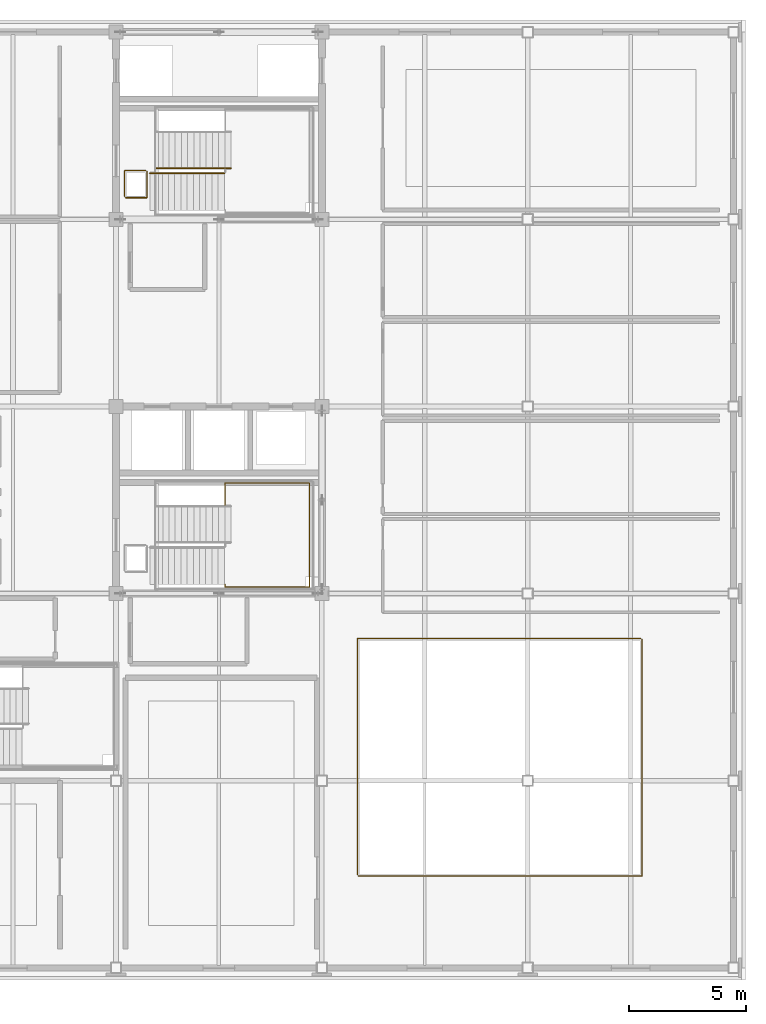
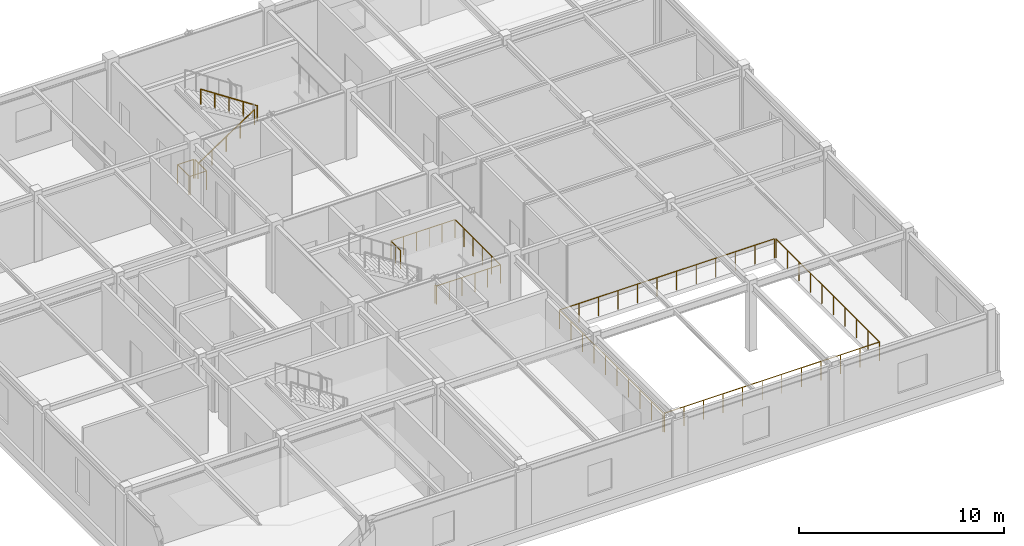
# One storey, part 17 of 18: 7 railings.
"""IFC4 building model written with IfcOpenShell, lengths in metres."""

from ifc_helpers import new_model, si_unit, direction, frame, origin, origin_2d, place, context, subcontext, project, spatial, circle, extrude, material, type_object, element, save


model = new_model("IFC4")

# Units and contexts
model_context = context("Model", 3, precision=1e-05, world=origin(), true_north=direction((0.0, 1.0)))
body_context = subcontext(model_context, "Body", "Model", "MODEL_VIEW")
ifc_project = project(units=[si_unit("LENGTHUNIT", "METRE"), si_unit("AREAUNIT", "SQUARE_METRE"), si_unit("VOLUMEUNIT", "CUBIC_METRE"), si_unit("PLANEANGLEUNIT", "RADIAN"), si_unit("MASSUNIT", "GRAM", prefix="KILO")], contexts=[model_context])

# Site, building, storey
site_placement = place(None, origin())
site = spatial("IfcSite", under=ifc_project, at=site_placement, CompositionType="ELEMENT")
building_placement = place(site_placement, origin())
building = spatial("IfcBuilding", under=site, at=building_placement, Name="Zhaolan Boulevard Law Courts", CompositionType="ELEMENT")
storey_placement = place(building_placement, frame((0.0, 0.0, 33.0)))
storey = spatial("IfcBuildingStorey", under=building, at=storey_placement, Name="L07", CompositionType="ELEMENT", Elevation=33.0)

# Railings
ifc_material_1 = material(Name="Powder-coated steel and tempered laminated glass", Category="steel")
railing_type_1 = type_object("IfcRailingType", Name="INTERIOR GUARDRAIL 1150", PredefinedType="GUARDRAIL", material=ifc_material_1)
railing_1_placement = place(storey_placement, frame((18.010009765625, 62.919921875, 0.0)))
element("IfcRailing", 1, at=railing_1_placement, inside=storey, type_object=railing_type_1, Name="Atrium Gallery Guardrail VG-7-V5-10A", PredefinedType="GUARDRAIL", context=body_context, shape_type="SweptSolid", body=[
    extrude(circle(Radius=0.02490234375, at=origin_2d()), frame((0.0, 0.0, 1.125), z_axis=(1.0, 0.0, 0.0), x_axis=(0.0, 1.0, 0.0)), (0.0, 0.0, 1.0), 0.919921875),
    extrude(circle(Radius=0.02490234375, at=origin_2d()), frame((0.919921875, 0.0, 1.125), z_axis=(0.0, 1.0, 0.0), x_axis=(-1.0, 0.0, 0.0)), (0.0, 0.0, 1.0), 1.1201171875),
    extrude(circle(Radius=0.02099609375, at=origin_2d()), origin(), (0.0, 0.0, 1.0), 1.099853515625),
    extrude(circle(Radius=0.02099609375, at=origin_2d()), frame((0.919921875, 0.0, 0.0)), (0.0, 0.0, 1.0), 1.099853515625),
    extrude(circle(Radius=0.02099609375, at=origin_2d()), frame((0.919921875, 1.1201171875, 0.0)), (0.0, 0.0, 1.0), 1.099853515625),
])
railing_2_placement = place(storey_placement, frame((18.8701171875, 64.080078125, 0.0)))
element("IfcRailing", 2, at=railing_2_placement, inside=storey, type_object=railing_type_1, Name="Atrium Gallery Guardrail VG-7-V5-10B", PredefinedType="GUARDRAIL", context=body_context, shape_type="SweptSolid", body=[
    extrude(circle(Radius=0.02490234375, at=origin_2d()), frame((0.0, 0.0, 1.125), z_axis=(-1.0, 0.0, 0.0), x_axis=(0.0, -1.0, 0.0)), (0.0, 0.0, 1.0), 0.900146484375),
    extrude(circle(Radius=0.02490234375, at=origin_2d()), frame((-0.900146484375, 0.0, 1.125), z_axis=(0.0, -1.0, 0.0), x_axis=(1.0, 0.0, 0.0)), (0.0, 0.0, 1.0), 1.10009765625),
    extrude(circle(Radius=0.02099609375, at=origin_2d()), origin(), (0.0, 0.0, 1.0), 1.099853515625),
    extrude(circle(Radius=0.02099609375, at=origin_2d()), frame((-0.900146484375, 0.0, 0.0)), (0.0, 0.0, 1.0), 1.099853515625),
    extrude(circle(Radius=0.02099609375, at=origin_2d()), frame((-0.900146484375, -1.10009765625, 0.0)), (0.0, 0.0, 1.0), 1.099853515625),
])
railing_3_placement = place(storey_placement, frame((27.9599609375, 33.919921875, 0.0)))
element("IfcRailing", 3, at=railing_3_placement, inside=storey, type_object=railing_type_1, Name="Atrium Gallery Guardrail VG-7-V5-11A", PredefinedType="GUARDRAIL", context=body_context, shape_type="SweptSolid", body=[
    extrude(circle(Radius=0.02490234375, at=origin_2d()), frame((0.0, 0.0, 1.125), z_axis=(1.0, 0.0, 0.0), x_axis=(0.0, 1.0, 0.0)), (0.0, 0.0, 1.0), 12.1201171875),
    extrude(circle(Radius=0.02490234375, at=origin_2d()), frame((12.1201171875, 0.0, 1.125), z_axis=(0.0, 1.0, 0.0), x_axis=(-1.0, 0.0, 0.0)), (0.0, 0.0, 1.0), 10.1201171875),
    extrude(circle(Radius=0.02099609375, at=origin_2d()), origin(), (0.0, 0.0, 1.0), 1.099853515625),
    extrude(circle(Radius=0.02099609375, at=origin_2d()), frame((1.101806640625, 0.0, 0.0)), (0.0, 0.0, 1.0), 1.099853515625),
    extrude(circle(Radius=0.02099609375, at=origin_2d()), frame((2.20361328125, 0.0, 0.0)), (0.0, 0.0, 1.0), 1.099853515625),
    extrude(circle(Radius=0.02099609375, at=origin_2d()), frame((3.305419921875, 0.0, 0.0)), (0.0, 0.0, 1.0), 1.099853515625),
    extrude(circle(Radius=0.02099609375, at=origin_2d()), frame((4.4072265625, 0.0, 0.0)), (0.0, 0.0, 1.0), 1.099853515625),
    extrude(circle(Radius=0.02099609375, at=origin_2d()), frame((5.509033203125, 0.0, 0.0)), (0.0, 0.0, 1.0), 1.099853515625),
    extrude(circle(Radius=0.02099609375, at=origin_2d()), frame((6.611083984375, 0.0, 0.0)), (0.0, 0.0, 1.0), 1.099853515625),
    extrude(circle(Radius=0.02099609375, at=origin_2d()), frame((7.712890625, 0.0, 0.0)), (0.0, 0.0, 1.0), 1.099853515625),
    extrude(circle(Radius=0.02099609375, at=origin_2d()), frame((8.814697265625, 0.0, 0.0)), (0.0, 0.0, 1.0), 1.099853515625),
    extrude(circle(Radius=0.02099609375, at=origin_2d()), frame((9.91650390625, 0.0, 0.0)), (0.0, 0.0, 1.0), 1.099853515625),
    extrude(circle(Radius=0.02099609375, at=origin_2d()), frame((11.018310546875, 0.0, 0.0)), (0.0, 0.0, 1.0), 1.099853515625),
    extrude(circle(Radius=0.02099609375, at=origin_2d()), frame((12.1201171875, 0.0, 0.0)), (0.0, 0.0, 1.0), 1.099853515625),
    extrude(circle(Radius=0.02099609375, at=origin_2d()), frame((12.1201171875, 1.12451171875, 0.0)), (0.0, 0.0, 1.0), 1.099853515625),
    extrude(circle(Radius=0.02099609375, at=origin_2d()), frame((12.1201171875, 2.2490234375, 0.0)), (0.0, 0.0, 1.0), 1.099853515625),
    extrude(circle(Radius=0.02099609375, at=origin_2d()), frame((12.1201171875, 3.373291015625, 0.0)), (0.0, 0.0, 1.0), 1.099853515625),
    extrude(circle(Radius=0.02099609375, at=origin_2d()), frame((12.1201171875, 4.497802734375, 0.0)), (0.0, 0.0, 1.0), 1.099853515625),
    extrude(circle(Radius=0.02099609375, at=origin_2d()), frame((12.1201171875, 5.622314453125, 0.0)), (0.0, 0.0, 1.0), 1.099853515625),
    extrude(circle(Radius=0.02099609375, at=origin_2d()), frame((12.1201171875, 6.746826171875, 0.0)), (0.0, 0.0, 1.0), 1.099853515625),
    extrude(circle(Radius=0.02099609375, at=origin_2d()), frame((12.1201171875, 7.87109375, 0.0)), (0.0, 0.0, 1.0), 1.099853515625),
    extrude(circle(Radius=0.02099609375, at=origin_2d()), frame((12.1201171875, 8.99560546875, 0.0)), (0.0, 0.0, 1.0), 1.099853515625),
    extrude(circle(Radius=0.02099609375, at=origin_2d()), frame((12.1201171875, 10.1201171875, 0.0)), (0.0, 0.0, 1.0), 1.099853515625),
])
railing_4_placement = place(storey_placement, frame((40.02001953125, 44.080078125, 0.0)))
element("IfcRailing", 4, at=railing_4_placement, inside=storey, type_object=railing_type_1, Name="Atrium Gallery Guardrail VG-7-V5-11B", PredefinedType="GUARDRAIL", context=body_context, shape_type="SweptSolid", body=[
    extrude(circle(Radius=0.02490234375, at=origin_2d()), frame((0.0, 0.0, 1.125), z_axis=(-1.0, 0.0, 0.0), x_axis=(0.0, -1.0, 0.0)), (0.0, 0.0, 1.0), 12.10009765625),
    extrude(circle(Radius=0.02490234375, at=origin_2d()), frame((-12.10009765625, 0.0, 1.125), z_axis=(0.0, -1.0, 0.0), x_axis=(1.0, 0.0, 0.0)), (0.0, 0.0, 1.0), 10.10009765625),
    extrude(circle(Radius=0.02099609375, at=origin_2d()), origin(), (0.0, 0.0, 1.0), 1.099853515625),
    extrude(circle(Radius=0.02099609375, at=origin_2d()), frame((-1.10009765625, 0.0, 0.0)), (0.0, 0.0, 1.0), 1.099853515625),
    extrude(circle(Radius=0.02099609375, at=origin_2d()), frame((-2.199951171875, 0.0, 0.0)), (0.0, 0.0, 1.0), 1.099853515625),
    extrude(circle(Radius=0.02099609375, at=origin_2d()), frame((-3.300048828125, 0.0, 0.0)), (0.0, 0.0, 1.0), 1.099853515625),
    extrude(circle(Radius=0.02099609375, at=origin_2d()), frame((-4.400146484375, 0.0, 0.0)), (0.0, 0.0, 1.0), 1.099853515625),
    extrude(circle(Radius=0.02099609375, at=origin_2d()), frame((-5.5, 0.0, 0.0)), (0.0, 0.0, 1.0), 1.099853515625),
    extrude(circle(Radius=0.02099609375, at=origin_2d()), frame((-6.60009765625, 0.0, 0.0)), (0.0, 0.0, 1.0), 1.099853515625),
    extrude(circle(Radius=0.02099609375, at=origin_2d()), frame((-7.699951171875, 0.0, 0.0)), (0.0, 0.0, 1.0), 1.099853515625),
    extrude(circle(Radius=0.02099609375, at=origin_2d()), frame((-8.800048828125, 0.0, 0.0)), (0.0, 0.0, 1.0), 1.099853515625),
    extrude(circle(Radius=0.02099609375, at=origin_2d()), frame((-9.900146484375, 0.0, 0.0)), (0.0, 0.0, 1.0), 1.099853515625),
    extrude(circle(Radius=0.02099609375, at=origin_2d()), frame((-11.0, 0.0, 0.0)), (0.0, 0.0, 1.0), 1.099853515625),
    extrude(circle(Radius=0.02099609375, at=origin_2d()), frame((-12.10009765625, 0.0, 0.0)), (0.0, 0.0, 1.0), 1.099853515625),
    extrude(circle(Radius=0.02099609375, at=origin_2d()), frame((-12.10009765625, -1.122314453125, 0.0)), (0.0, 0.0, 1.0), 1.099853515625),
    extrude(circle(Radius=0.02099609375, at=origin_2d()), frame((-12.10009765625, -2.244384765625, 0.0)), (0.0, 0.0, 1.0), 1.099853515625),
    extrude(circle(Radius=0.02099609375, at=origin_2d()), frame((-12.10009765625, -3.36669921875, 0.0)), (0.0, 0.0, 1.0), 1.099853515625),
    extrude(circle(Radius=0.02099609375, at=origin_2d()), frame((-12.10009765625, -4.489013671875, 0.0)), (0.0, 0.0, 1.0), 1.099853515625),
    extrude(circle(Radius=0.02099609375, at=origin_2d()), frame((-12.10009765625, -5.611083984375, 0.0)), (0.0, 0.0, 1.0), 1.099853515625),
    extrude(circle(Radius=0.02099609375, at=origin_2d()), frame((-12.10009765625, -6.7333984375, 0.0)), (0.0, 0.0, 1.0), 1.099853515625),
    extrude(circle(Radius=0.02099609375, at=origin_2d()), frame((-12.10009765625, -7.855712890625, 0.0)), (0.0, 0.0, 1.0), 1.099853515625),
    extrude(circle(Radius=0.02099609375, at=origin_2d()), frame((-12.10009765625, -8.977783203125, 0.0)), (0.0, 0.0, 1.0), 1.099853515625),
    extrude(circle(Radius=0.02099609375, at=origin_2d()), frame((-12.10009765625, -10.10009765625, 0.0)), (0.0, 0.0, 1.0), 1.099853515625),
])
ifc_material_2 = material(Name="Brushed stainless steel tubular handrail", Category="steel")
railing_type_2 = type_object("IfcRailingType", Name="STAIR HANDRAIL 900", PredefinedType="HANDRAIL", material=ifc_material_2)
railing_5_placement = place(storey_placement, frame((19.050048828125, 63.969970703125, 0.0)))
element("IfcRailing", 5, at=railing_5_placement, inside=storey, type_object=railing_type_2, Name="Stair Handrail HR-ST02-L07-1", PredefinedType="HANDRAIL", context=body_context, shape_type="SweptSolid", body=[
    extrude(circle(Radius=0.0224609375, at=origin_2d()), frame((0.0, 0.0, 0.87744140625), z_axis=(0.834447378162, 0.0, 0.551087627405), x_axis=(0.0, 1.0, 0.0)), (0.0, 0.0, 1.0), 3.810791015625),
    extrude(circle(Radius=0.01904296875, at=origin_2d()), origin(), (0.0, 0.0, 1.0), 0.85498046875),
    extrude(circle(Radius=0.01904296875, at=origin_2d()), frame((0.794921875, 0.0, 0.52490234375)), (0.0, 0.0, 1.0), 0.85498046875),
    extrude(circle(Radius=0.01904296875, at=origin_2d()), frame((1.58984375, 0.0, 1.050048828125)), (0.0, 0.0, 1.0), 0.85498046875),
    extrude(circle(Radius=0.01904296875, at=origin_2d()), frame((2.385009765625, 0.0, 1.5751953125)), (0.0, 0.0, 1.0), 0.85498046875),
    extrude(circle(Radius=0.01904296875, at=origin_2d()), frame((3.179931640625, 0.0, 2.10009765625)), (0.0, 0.0, 1.0), 0.85498046875),
])
railing_6_placement = place(storey_placement, frame((22.514892578125, 64.18994140625, 2.10009765625)))
element("IfcRailing", 6, at=railing_6_placement, inside=storey, type_object=railing_type_2, Name="Stair Handrail HR-ST02-L07-2", PredefinedType="HANDRAIL", context=body_context, shape_type="SweptSolid", body=[
    extrude(circle(Radius=0.0224609375, at=origin_2d()), frame((0.0, 0.0, 0.87744140625), z_axis=(-0.834476838559, 0.0, 0.551043016387), x_axis=(0.0, -1.0, 0.0)), (0.0, 0.0, 1.0), 3.810791015625),
    extrude(circle(Radius=0.01904296875, at=origin_2d()), origin(), (0.0, 0.0, 1.0), 0.85498046875),
    extrude(circle(Radius=0.01904296875, at=origin_2d()), frame((-0.794921875, 0.0, 0.52490234375)), (0.0, 0.0, 1.0), 0.85498046875),
    extrude(circle(Radius=0.01904296875, at=origin_2d()), frame((-1.58984375, 0.0, 1.0498046875)), (0.0, 0.0, 1.0), 0.85498046875),
    extrude(circle(Radius=0.01904296875, at=origin_2d()), frame((-2.385009765625, 0.0, 1.574951171875)), (0.0, 0.0, 1.0), 0.85498046875),
    extrude(circle(Radius=0.01904296875, at=origin_2d()), frame((-3.179931640625, 0.0, 2.099853515625)), (0.0, 0.0, 1.0), 0.85498046875),
])
ifc_material_3 = material(Name="Powder-coated steel baluster guardrail", Category="steel")
railing_type_3 = type_object("IfcRailingType", Name="STAIR WELL GUARDRAIL 1120", PredefinedType="GUARDRAIL", material=ifc_material_3)
railing_7_placement = place(storey_placement, frame((22.260009765625, 46.39990234375, 2.10009765625)))
element("IfcRailing", 7, at=railing_7_placement, inside=storey, type_object=railing_type_3, Name="Half-Landing Guardrail SG-ST01-L07-M", PredefinedType="GUARDRAIL", context=body_context, shape_type="SweptSolid", body=[
    extrude(circle(Radius=0.02392578125, at=origin_2d()), frame((0.0, 0.0, 1.09619140625), z_axis=(0.0, -1.0, 0.0), x_axis=(1.0, 0.0, 0.0)), (0.0, 0.0, 1.0), 0.119873046875),
    extrude(circle(Radius=0.02392578125, at=origin_2d()), frame((0.0, -0.119873046875, 1.09619140625), z_axis=(1.0, 0.0, 0.0), x_axis=(0.0, 1.0, 0.0)), (0.0, 0.0, 1.0), 3.610107421875),
    extrude(circle(Radius=0.02392578125, at=origin_2d()), frame((3.610107421875, -0.119873046875, 1.09619140625), z_axis=(0.0, 1.0, 0.0), x_axis=(-1.0, 0.0, 0.0)), (0.0, 0.0, 1.0), 4.43994140625),
    extrude(circle(Radius=0.02392578125, at=origin_2d()), frame((3.610107421875, 4.320068359375, 1.09619140625), z_axis=(-1.0, 0.0, 0.0), x_axis=(0.0, -1.0, 0.0)), (0.0, 0.0, 1.0), 3.610107421875),
    extrude(circle(Radius=0.02392578125, at=origin_2d()), frame((0.0, 4.320068359375, 1.09619140625), z_axis=(0.0, -1.0, 0.0), x_axis=(1.0, 0.0, 0.0)), (0.0, 0.0, 1.0), 0.9599609375),
    extrude(circle(Radius=0.02099609375, at=origin_2d()), origin(), (0.0, 0.0, 1.0), 1.072021484375),
    extrude(circle(Radius=0.02099609375, at=origin_2d()), frame((0.0, -0.119873046875, 0.0)), (0.0, 0.0, 1.0), 1.072021484375),
    extrude(circle(Radius=0.02099609375, at=origin_2d()), frame((0.721923828125, -0.119873046875, 0.0)), (0.0, 0.0, 1.0), 1.072021484375),
    extrude(circle(Radius=0.02099609375, at=origin_2d()), frame((1.444091796875, -0.119873046875, 0.0)), (0.0, 0.0, 1.0), 1.072021484375),
    extrude(circle(Radius=0.02099609375, at=origin_2d()), frame((2.166015625, -0.119873046875, 0.0)), (0.0, 0.0, 1.0), 1.072021484375),
    extrude(circle(Radius=0.02099609375, at=origin_2d()), frame((2.88818359375, -0.119873046875, 0.0)), (0.0, 0.0, 1.0), 1.072021484375),
    extrude(circle(Radius=0.02099609375, at=origin_2d()), frame((3.610107421875, -0.119873046875, 0.0)), (0.0, 0.0, 1.0), 1.072021484375),
    extrude(circle(Radius=0.02099609375, at=origin_2d()), frame((3.610107421875, 0.76806640625, 0.0)), (0.0, 0.0, 1.0), 1.072021484375),
    extrude(circle(Radius=0.02099609375, at=origin_2d()), frame((3.610107421875, 1.656005859375, 0.0)), (0.0, 0.0, 1.0), 1.072021484375),
    extrude(circle(Radius=0.02099609375, at=origin_2d()), frame((3.610107421875, 2.544189453125, 0.0)), (0.0, 0.0, 1.0), 1.072021484375),
    extrude(circle(Radius=0.02099609375, at=origin_2d()), frame((3.610107421875, 3.43212890625, 0.0)), (0.0, 0.0, 1.0), 1.072021484375),
    extrude(circle(Radius=0.02099609375, at=origin_2d()), frame((3.610107421875, 4.320068359375, 0.0)), (0.0, 0.0, 1.0), 1.072021484375),
    extrude(circle(Radius=0.02099609375, at=origin_2d()), frame((2.88818359375, 4.320068359375, 0.0)), (0.0, 0.0, 1.0), 1.072021484375),
    extrude(circle(Radius=0.02099609375, at=origin_2d()), frame((2.166015625, 4.320068359375, 0.0)), (0.0, 0.0, 1.0), 1.072021484375),
    extrude(circle(Radius=0.02099609375, at=origin_2d()), frame((1.444091796875, 4.320068359375, 0.0)), (0.0, 0.0, 1.0), 1.072021484375),
    extrude(circle(Radius=0.02099609375, at=origin_2d()), frame((0.721923828125, 4.320068359375, 0.0)), (0.0, 0.0, 1.0), 1.072021484375),
    extrude(circle(Radius=0.02099609375, at=origin_2d()), frame((0.0, 4.320068359375, 0.0)), (0.0, 0.0, 1.0), 1.072021484375),
    extrude(circle(Radius=0.02099609375, at=origin_2d()), frame((0.0, 3.840087890625, 0.0)), (0.0, 0.0, 1.0), 1.072021484375),
    extrude(circle(Radius=0.02099609375, at=origin_2d()), frame((0.0, 3.360107421875, 0.0)), (0.0, 0.0, 1.0), 1.072021484375),
])

save(model, "model.ifc")
